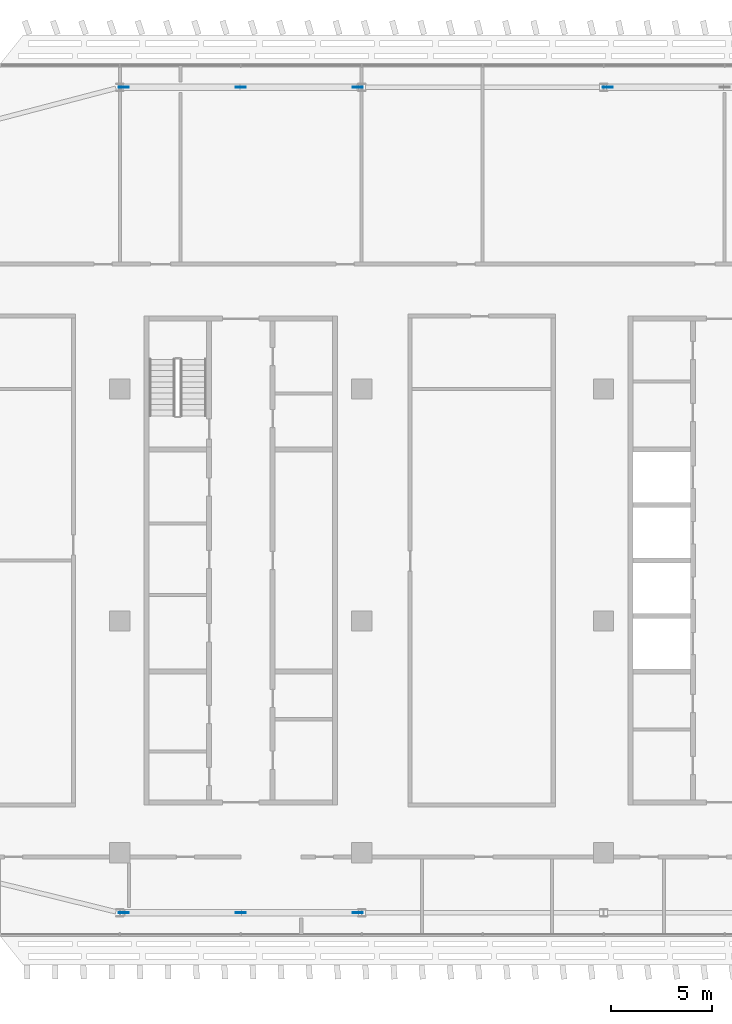
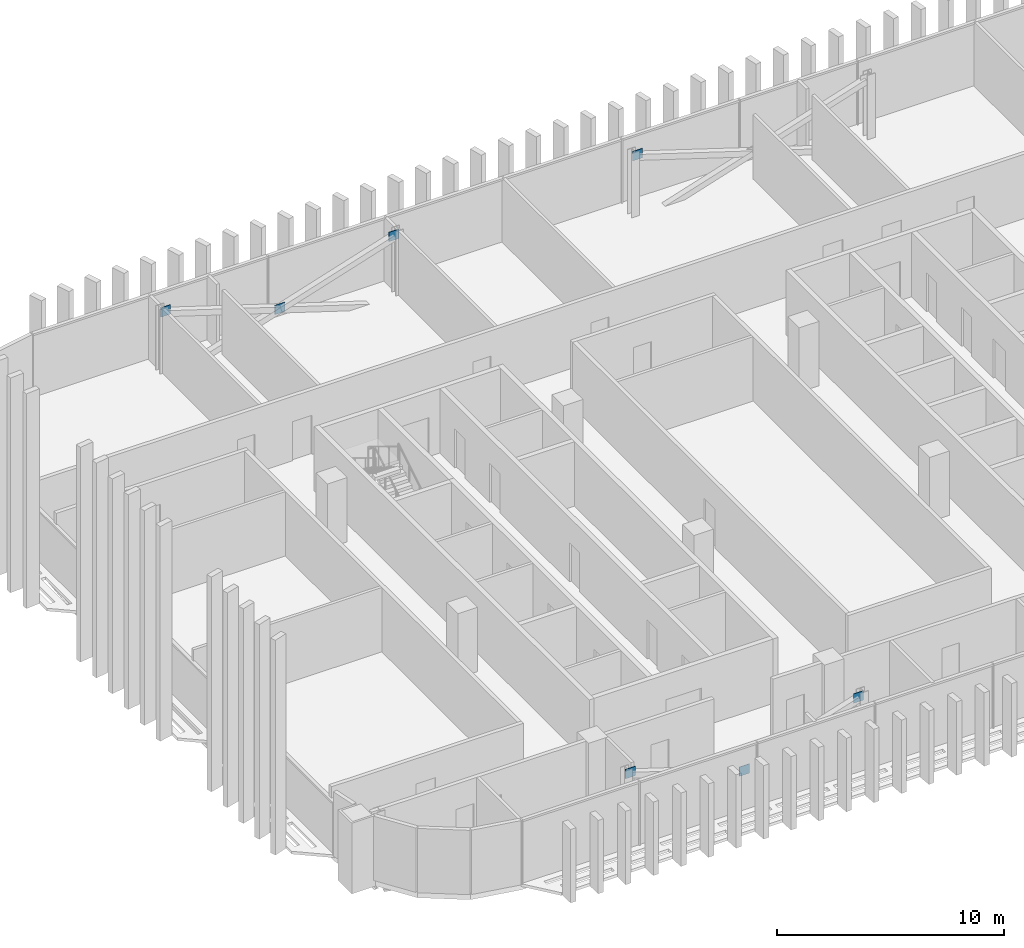
# One storey, part 23 of 32: 7 discrete accessories.
"""IFC4 building model written with IfcOpenShell, lengths in metres."""

from ifc_helpers import new_model, si_unit, direction, frame, origin, origin_2d, place, context, subcontext, project, spatial, rectangle, extrude, material, layer, layer_set, type_object, element, save


model = new_model("IFC4")

# Units and contexts
model_context = context("Model", 3, precision=1e-05, world=origin(), true_north=direction((0.0, 1.0)))
body_context = subcontext(model_context, "Body", "Model", "MODEL_VIEW")
ifc_project = project(units=[si_unit("LENGTHUNIT", "METRE"), si_unit("AREAUNIT", "SQUARE_METRE"), si_unit("VOLUMEUNIT", "CUBIC_METRE"), si_unit("PLANEANGLEUNIT", "RADIAN"), si_unit("MASSUNIT", "GRAM", prefix="KILO")], contexts=[model_context])

# Site, building, storey
site_placement = place(None, origin())
site = spatial("IfcSite", under=ifc_project, at=site_placement, CompositionType="ELEMENT")
building_placement = place(site_placement, origin())
building = spatial("IfcBuilding", under=site, at=building_placement, Name="Mahtab Terrace Research Tower", CompositionType="ELEMENT")
storey_placement = place(building_placement, frame((0.0, 0.0, 243.800048828125)))
storey = spatial("IfcBuildingStorey", under=building, at=storey_placement, Name="L59", CompositionType="ELEMENT", Elevation=243.800048828125)

# Discrete accessories
ifc_material = material(Name="Steel ASTM A992 Gr 50", Category="steel")
ifc_layer = layer(ifc_material, 0.030029296875)
ifc_layer_set = layer_set([ifc_layer], Name="Gusset plate 500x500x30")
discrete_accessory_type = type_object("IfcDiscreteAccessoryType", Name="Gusset plate 500x500x30", PredefinedType="USERDEFINED", material=ifc_layer_set)
for number, where, z_axis, x_axis, name in (
    (1, (-29.800537109375, -14.472900390625, 2.90625), (0.0, 0.0, 1.0), (1.0, 0.0, 0.0), "Gusset plate"),
    (2, (-29.800537109375, 26.472900390625, 2.90625), (0.0, 0.0, 1.0), (1.0, 0.0, 0.0), "Gusset plate"),
    (3, (-24.0, -14.472900390625, 1.00634765625), (0.0, 0.0, 1.0), (1.0, 0.0, 0.0), "Gusset plate"),
    (4, (-24.0, 26.472900390625, 1.00634765625), (0.0, 0.0, 1.0), (1.0, 0.0, 0.0), "Gusset plate"),
    (5, (-18.199462890625, -14.472900390625, 2.90625), (0.0, 0.0, 1.0), (1.0, 0.0, 0.0), "Gusset plate"),
    (6, (-18.199462890625, 26.472900390625, 2.90625), (0.0, 0.0, 1.0), (1.0, 0.0, 0.0), "Gusset plate"),
    (7, (-5.800537109375, 26.472900390625, 2.90625), (0.0, 0.0, 1.0), (1.0, 0.0, 0.0), "Gusset plate"),
):
    element("IfcDiscreteAccessory", number, at=place(storey_placement, frame(where, z_axis=z_axis, x_axis=x_axis)), inside=storey, type_object=discrete_accessory_type, Name=name, ObjectType="GUSSET PLATE", PredefinedType="USERDEFINED", context=body_context, shape_type="SweptSolid", body=[
        extrude(rectangle(XDim=0.5, YDim=0.030029296875, at=origin_2d()), origin(), (0.0, 0.0, 1.0), 0.5),
    ])

save(model, "model.ifc")
